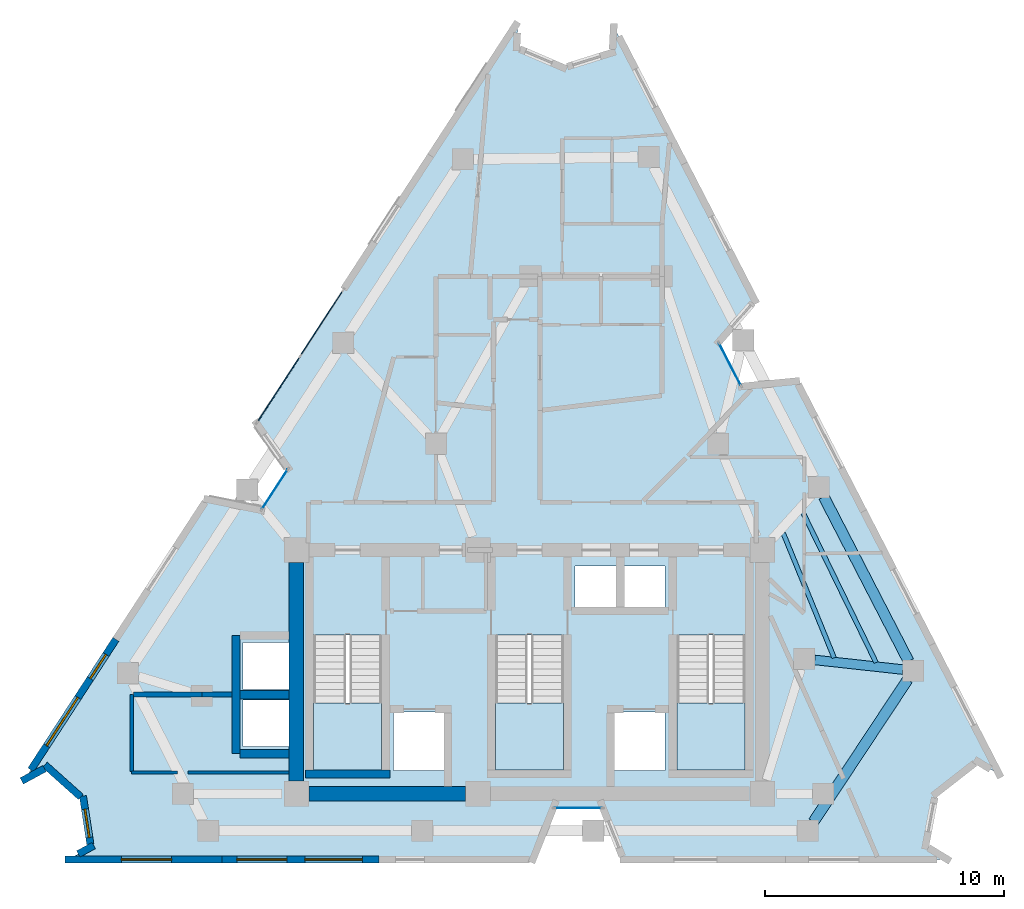
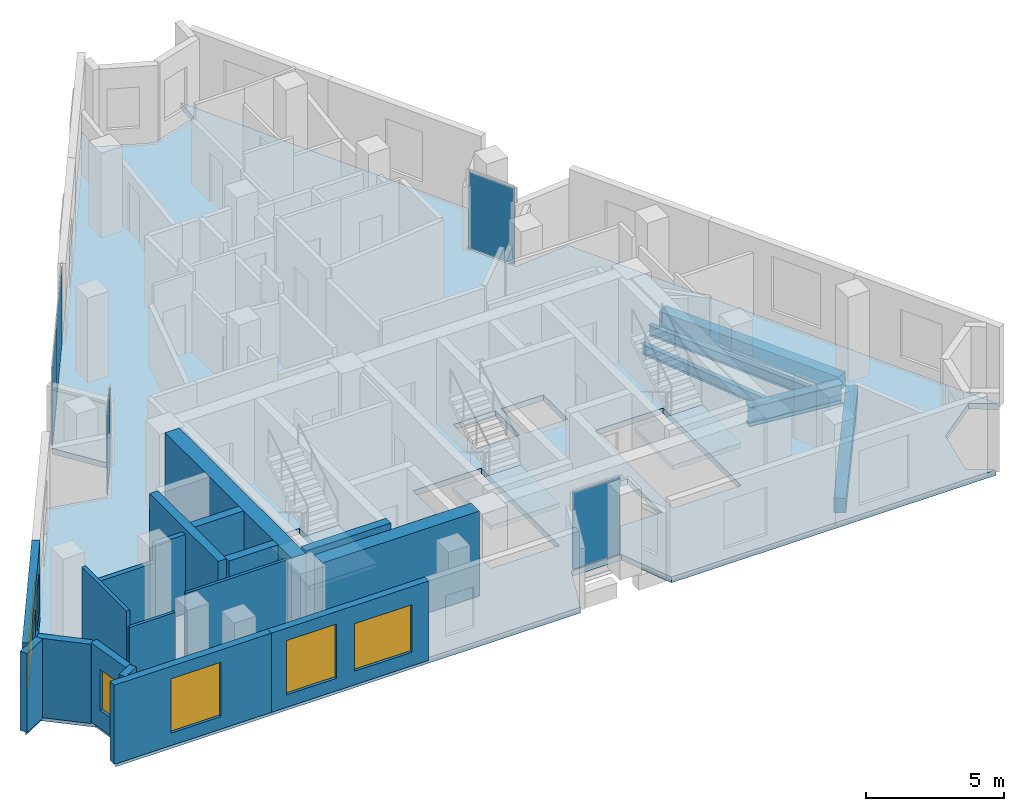
# One storey, part 4 of 9: 18 walls, 6 windows, 5 beams, 5 plates, 4 slabs, 6 openings, 7 elements without a shape of their own.
"""IFC4 building model written with IfcOpenShell, lengths in metres."""

from ifc_helpers import new_model, si_unit, direction, frame, frame_2d, origin, origin_2d, place, context, subcontext, project, spatial, polyline, rectangle, i_section, outline, extrude, material, layer, layer_set, material_profile, profile_set, type_object, element, fill, aggregate, save


model = new_model("IFC4")

# Units and contexts
model_context = context("Model", 3, precision=1e-05, world=origin(), true_north=direction((0.0, 1.0)))
body_context = subcontext(model_context, "Body", "Model", "MODEL_VIEW")
ifc_project = project(units=[si_unit("LENGTHUNIT", "METRE"), si_unit("AREAUNIT", "SQUARE_METRE"), si_unit("VOLUMEUNIT", "CUBIC_METRE"), si_unit("PLANEANGLEUNIT", "RADIAN"), si_unit("MASSUNIT", "GRAM", prefix="KILO")], contexts=[model_context])

# Site, building, storey
site_placement = place(None, origin())
site = spatial("IfcSite", under=ifc_project, at=site_placement, CompositionType="ELEMENT")
building_placement = place(site_placement, origin())
building = spatial("IfcBuilding", under=site, at=building_placement, Name="Almagre Mirador Tower", CompositionType="ELEMENT")
storey_placement = place(building_placement, frame((0.0, 0.0, 207.0)))
storey = spatial("IfcBuildingStorey", under=building, at=storey_placement, Name="L53", CompositionType="ELEMENT", Elevation=207.0)

# Beams
ifc_material_1 = material(Name="Steel ASTM A992 Grade 50", Category="steel")
ifc_material_profile_1 = material_profile(ifc_material_1, i_section(OverallWidth=0.19091796875, OverallDepth=0.4599609375, WebThickness=0.010009765625, FlangeThickness=0.01611328125, FilletRadius=0.01611328125, at=origin_2d()), Name="W18X55")
ifc_profile_set_1 = profile_set([ifc_material_profile_1], Name="Steel ASTM A992 Grade 50")
beam_type_1 = type_object("IfcBeamType", Name="BM-JST-W18X55", PredefinedType="JOIST", material=ifc_profile_set_1)
beam_1_placement = place(storey_placement, frame((51.811279296875, 10.03955078125, -0.47998046875), z_axis=(-0.438102090094, 0.898925224174, 0.0), x_axis=(-0.898925224174, -0.438102090094, 0.0)))
element("IfcBeam", 1, at=beam_1_placement, inside=storey, type_object=beam_type_1, Name="L53 secondary floor joist PC05-PC06.1", PredefinedType="JOIST", context=body_context, shape_type="SweptSolid", body=[
    extrude(i_section(OverallWidth=0.19091796875, OverallDepth=0.4599609375, WebThickness=0.010009765625, FlangeThickness=0.01611328125, FilletRadius=0.01611328125, at=origin_2d()), origin(), (0.0, 0.0, 1.0), 7.0166015625),
])
beam_2_placement = place(storey_placement, frame((50.0556640625, 10.23876953125, -0.47998046875), z_axis=(-0.377971289874, 0.92581731677, 0.0), x_axis=(-0.92581731677, -0.377971289874, 0.0)))
element("IfcBeam", 2, at=beam_2_placement, inside=storey, type_object=beam_type_1, Name="L53 secondary floor joist PC05-PC06.3", PredefinedType="JOIST", context=body_context, shape_type="SweptSolid", body=[
    extrude(i_section(OverallWidth=0.19091796875, OverallDepth=0.4599609375, WebThickness=0.010009765625, FlangeThickness=0.01611328125, FilletRadius=0.01611328125, at=origin_2d()), origin(), (0.0, 0.0, 1.0), 5.6337890625),
])
ifc_material_2 = material(Name="Precast concrete C50/60", Category="concrete")
ifc_material_profile_2 = material_profile(ifc_material_2, rectangle(XDim=0.449951171875, YDim=0.64990234375, at=origin_2d()), Name="RC450X650")
ifc_profile_set_2 = profile_set([ifc_material_profile_2], Name="Precast concrete C50/60")
beam_type_2 = type_object("IfcBeamType", Name="BM-SPN-RC450X650", PredefinedType="SPANDREL", material=ifc_profile_set_2)
beam_3_placement = place(storey_placement, frame((49.1923828125, 3.375244140625, -0.574951171875), z_axis=(0.551908560309, 0.83390463547, 0.0), x_axis=(-0.83390463547, 0.551908560309, 0.0)))
element("IfcBeam", 3, at=beam_3_placement, inside=storey, type_object=beam_type_2, Name="L53 perimeter spandrel beam PC04-PC05", PredefinedType="SPANDREL", context=body_context, shape_type="SweptSolid", body=[
    extrude(rectangle(XDim=0.449951171875, YDim=0.64990234375, at=origin_2d()), origin(), (0.0, 0.0, 1.0), 7.132080078125),
])
beam_4_placement = place(storey_placement, frame((53.1708984375, 10.097900390625, -0.574951171875), z_axis=(-0.45829341544, 0.888800959363, 0.0), x_axis=(-0.888800959363, -0.45829341544, 0.0)))
element("IfcBeam", 4, at=beam_4_placement, inside=storey, type_object=beam_type_2, Name="L53 perimeter spandrel beam PC05-PC06", PredefinedType="SPANDREL", context=body_context, shape_type="SweptSolid", body=[
    extrude(rectangle(XDim=0.449951171875, YDim=0.64990234375, at=origin_2d()), origin(), (0.0, 0.0, 1.0), 7.740966796875),
])
ifc_material_3 = material(Name="Steel ASTM A992 Grade 50", Category="steel")
ifc_material_profile_3 = material_profile(ifc_material_3, i_section(OverallWidth=0.39892578125, OverallDepth=0.85595703125, WebThickness=0.018310546875, FlangeThickness=0.029296875, FilletRadius=0.02490234375, at=origin_2d()), Name="W33X201")
ifc_profile_set_3 = profile_set([ifc_material_profile_3], Name="Steel ASTM A992 Grade 50")
beam_type_3 = type_object("IfcBeamType", Name="BM-STL-W33X201", PredefinedType="BEAM", material=ifc_profile_set_3)
beam_5_placement = place(storey_placement, frame((52.9296875, 9.7470703125, -0.677978515625), z_axis=(-0.994041045224, 0.109006423709, 0.0), x_axis=(-0.109006423709, -0.994041045224, 0.0)))
element("IfcBeam", 5, at=beam_5_placement, inside=storey, type_object=beam_type_3, Name="L53 radial floor girder PC05-MC3", PredefinedType="BEAM", context=body_context, shape_type="SweptSolid", body=[
    extrude(i_section(OverallWidth=0.39892578125, OverallDepth=0.85595703125, WebThickness=0.018310546875, FlangeThickness=0.029296875, FilletRadius=0.02490234375, at=origin_2d()), origin(), (0.0, 0.0, 1.0), 3.704345703125),
])

# Curtain wall, plate
ifc_material_4 = material(Name="Black anodized aluminium", Category="aluminium")
ifc_layer_1 = layer(ifc_material_4, 0.169921875)
ifc_layer_set_1 = layer_set([ifc_layer_1], Name="Black anodized aluminium")
curtain_wall_type_1 = type_object("IfcCurtainWallType", Name="CW-CRS-SYS", PredefinedType="NOTDEFINED", material=ifc_layer_set_1)
curtain_wall_1_placement = place(storey_placement, origin())
curtain_wall_1 = element("IfcCurtainWall", 6, at=curtain_wall_1_placement, inside=storey, type_object=curtain_wall_type_1, Name="L53 vertical crease curtain wall 01", PredefinedType="NOTDEFINED")
ifc_material_5 = material(Name="Dark solar-control laminated hurricane glass", Category="glass")
ifc_layer_2 = layer(ifc_material_5, 0.028076171875)
ifc_layer_set_2 = layer_set([ifc_layer_2], Name="Dark solar-control laminated hurricane glass")
plate_type_1 = type_object("IfcPlateType", Name="PLT-GLZ-28", PredefinedType="CURTAIN_PANEL", material=ifc_layer_set_2)
plate_1_placement = place(storey_placement, frame((26.65087890625, 17.29150390625, 0.06005859375), z_axis=(0.0, 0.0, 1.0), x_axis=(0.545610640334, 0.838038799313, 0.0)))
plate_1 = element("IfcPlate", 7, at=plate_1_placement, type_object=plate_type_1, Name="CW-4 panel 1.1", PredefinedType="CURTAIN_PANEL", context=body_context, shape_type="SweptSolid", body=[
    extrude(rectangle(XDim=1.969482421875, YDim=0.028076171875, at=origin_2d()), origin(), (0.0, 0.0, 1.0), 3.3798828125),
])
aggregate(curtain_wall_1, [plate_1])

curtain_wall_2_placement = place(storey_placement, origin())
curtain_wall_2 = element("IfcCurtainWall", 8, at=curtain_wall_2_placement, inside=storey, type_object=curtain_wall_type_1, Name="L53 vertical crease curtain wall 03", PredefinedType="NOTDEFINED")
plate_2_placement = place(storey_placement, frame((45.697998046875, 22.51806640625, 0.06005859375), z_axis=(0.0, 0.0, 1.0), x_axis=(0.458277323858, -0.888809256499, 0.0)))
plate_2 = element("IfcPlate", 9, at=plate_2_placement, type_object=plate_type_1, Name="CW-4 panel 1.1", PredefinedType="CURTAIN_PANEL", context=body_context, shape_type="SweptSolid", body=[
    extrude(rectangle(XDim=1.970458984375, YDim=0.028076171875, at=origin_2d()), origin(), (0.0, 0.0, 1.0), 3.3798828125),
])
aggregate(curtain_wall_2, [plate_2])

curtain_wall_3_placement = place(storey_placement, origin())
curtain_wall_3 = element("IfcCurtainWall", 10, at=curtain_wall_3_placement, inside=storey, type_object=curtain_wall_type_1, Name="L53 vertical crease curtain wall 04", PredefinedType="NOTDEFINED")
plate_3_placement = place(storey_placement, frame((39.343994140625, 3.949951171875, 0.06005859375), z_axis=(0.0, 0.0, 1.0), x_axis=(-1.0, 0.0, 0.0)))
plate_3 = element("IfcPlate", 11, at=plate_3_placement, type_object=plate_type_1, Name="CW-4 panel 1.1", PredefinedType="CURTAIN_PANEL", context=body_context, shape_type="SweptSolid", body=[
    extrude(rectangle(XDim=1.969970703125, YDim=0.028076171875, at=origin_2d()), origin(), (0.0, 0.0, 1.0), 3.3798828125),
])
aggregate(curtain_wall_3, [plate_3])

# Curtain wall, plates
ifc_material_6 = material(Name="Black anodized aluminium", Category="aluminium")
ifc_layer_3 = layer(ifc_material_6, 0.199951171875)
ifc_layer_set_3 = layer_set([ifc_layer_3], Name="Black anodized aluminium")
curtain_wall_type_2 = type_object("IfcCurtainWallType", Name="CW-RES-H-SYS", PredefinedType="NOTDEFINED", material=ifc_layer_set_3)
curtain_wall_4_placement = place(storey_placement, origin())
curtain_wall_4 = element("IfcCurtainWall", 12, at=curtain_wall_4_placement, inside=storey, type_object=curtain_wall_type_2, Name="L53 curtain wall run 02", PredefinedType="NOTDEFINED")
ifc_material_7 = material(Name="Dark solar-control laminated hurricane glass", Category="glass")
ifc_layer_4 = layer(ifc_material_7, 0.035888671875)
ifc_layer_set_4 = layer_set([ifc_layer_4], Name="Dark solar-control laminated hurricane glass")
plate_type_2 = type_object("IfcPlateType", Name="PLT-GLZ-36", PredefinedType="CURTAIN_PANEL", material=ifc_layer_set_4)
plate_4_placement = place(storey_placement, frame((26.805908203125, 21.469970703125, 0.06494140625), z_axis=(0.0, 0.0, 1.0), x_axis=(0.545614483846, 0.838036296957, 0.0)))
plate_4 = element("IfcPlate", 13, at=plate_4_placement, type_object=plate_type_2, Name="CW-3 panel 1.1", PredefinedType="CURTAIN_PANEL", context=body_context, shape_type="SweptSolid", body=[
    extrude(rectangle(XDim=3.241943359375, YDim=0.035888671875, at=origin_2d()), origin(), (0.0, 0.0, 1.0), 3.3701171875),
])
plate_5_placement = place(storey_placement, frame((28.610107421875, 24.2412109375, 0.06494140625), z_axis=(0.0, 0.0, 1.0), x_axis=(0.545614483846, 0.838036296957, 0.0)))
plate_5 = element("IfcPlate", 14, at=plate_5_placement, type_object=plate_type_2, Name="CW-3 panel 2.1", PredefinedType="CURTAIN_PANEL", context=body_context, shape_type="SweptSolid", body=[
    extrude(rectangle(XDim=3.241943359375, YDim=0.035888671875, at=origin_2d()), origin(), (0.0, 0.0, 1.0), 3.3701171875),
])
aggregate(curtain_wall_4, [plate_4, plate_5])

# Slab
ifc_material_8 = material(Name="Concrete C45/55", Category="concrete")
ifc_layer_5 = layer(ifc_material_8, 0.25)
ifc_layer_set_5 = layer_set([ifc_layer_5], Name="Concrete C45/55")
slab_type_1 = type_object("IfcSlabType", Name="SLB-FLR-250", PredefinedType="FLOOR", material=ifc_layer_set_5)
slab_1_placement = place(storey_placement, frame((0.0, 0.0, -0.25)))
element("IfcSlab", 15, at=slab_1_placement, inside=storey, type_object=slab_type_1, Name="L53 structural floor slab", PredefinedType="FLOOR", context=body_context, shape_type="SweptSolid", body=[
    extrude(outline(polyline([(16.181884765625, 5.152099609375), (17.132080078125, 5.6669921875), (18.64208984375, 4.31689453125), (18.948974609375, 2.31494140625), (18.0, 1.800048828125), (37.444091796875, 1.800048828125), (38.299072265625, 3.949951171875), (40.388916015625, 3.949951171875), (41.243896484375, 1.800048828125), (54.800048828125, 1.800048828125), (53.8779296875, 2.362060546875), (54.291015625, 4.548095703125), (56.044921875, 5.9169921875), (56.967041015625, 5.35498046875), (48.47998046875, 21.81396484375), (46.177001953125, 21.589111328125), (45.218994140625, 23.447021484375), (46.739013671875, 25.19189453125), (40.8330078125, 36.64501953125), (40.779052734375, 35.56591796875), (38.73291015625, 34.927001953125), (36.762939453125, 35.76904296875), (36.818115234375, 36.847900390625), (25.885986328125, 20.056884765625), (27.220947265625, 18.1669921875), (26.0810546875, 16.416015625), (23.81298828125, 16.8720703125), (16.181884765625, 5.152099609375)]), holes=[polyline([(43.47509765625, 5.550048828125), (43.47509765625, 11.196044921875), (46.324951171875, 11.196044921875), (46.324951171875, 5.550048828125), (43.47509765625, 5.550048828125)]), polyline([(41.219970703125, 12.320068359375), (41.219970703125, 14.080078125), (42.97998046875, 14.080078125), (42.97998046875, 12.320068359375), (41.219970703125, 12.320068359375)]), polyline([(42.97998046875, 5.52001953125), (40.820068359375, 5.52001953125), (40.820068359375, 7.97998046875), (42.97998046875, 7.97998046875), (42.97998046875, 5.52001953125)]), polyline([(39.219970703125, 12.320068359375), (39.219970703125, 14.080078125), (40.97998046875, 14.080078125), (40.97998046875, 12.320068359375), (39.219970703125, 12.320068359375)]), polyline([(35.875, 5.550048828125), (35.875, 11.196044921875), (38.72509765625, 11.196044921875), (38.72509765625, 5.550048828125), (35.875, 5.550048828125)]), polyline([(33.780029296875, 5.52001953125), (31.6201171875, 5.52001953125), (31.6201171875, 7.97998046875), (33.780029296875, 7.97998046875), (33.780029296875, 5.52001953125)]), polyline([(28.27490234375, 5.550048828125), (28.27490234375, 11.196044921875), (31.125, 11.196044921875), (31.125, 5.550048828125), (28.27490234375, 5.550048828125)]), polyline([(27.3798828125, 6.52001953125), (25.320068359375, 6.52001953125), (25.320068359375, 8.47998046875), (27.3798828125, 8.47998046875), (27.3798828125, 6.52001953125)]), polyline([(27.3798828125, 8.919921875), (25.320068359375, 8.919921875), (25.320068359375, 10.8798828125), (27.3798828125, 10.8798828125), (27.3798828125, 8.919921875)])]), origin(), (0.0, 0.0, 1.0), 0.25),
])

# Stair, slab
ifc_material_9 = material(Name="Concrete C45/55", Category="concrete")
stair_type = type_object("IfcStairType", Name="STR-DL-3750", PredefinedType="HALF_TURN_STAIR", material=ifc_material_9)
stair_1_placement = place(storey_placement, origin())
stair_1 = element("IfcStair", 16, at=stair_1_placement, inside=storey, type_object=stair_type, Name="L53 Protected exit stair ST-1", PredefinedType="HALF_TURN_STAIR")
ifc_material_10 = material(Name="Concrete C45/55", Category="concrete")
ifc_layer_6 = layer(ifc_material_10, 0.199951171875)
ifc_layer_set_6 = layer_set([ifc_layer_6], Name="Concrete C45/55")
slab_type_2 = type_object("IfcSlabType", Name="SLB-LND-200", PredefinedType="LANDING", material=ifc_layer_set_6)
slab_2_placement = place(storey_placement, frame((0.0, 0.0, 1.675048828125)))
slab_2 = element("IfcSlab", 17, at=slab_2_placement, type_object=slab_type_2, Name="ST-1 landing 1", PredefinedType="LANDING", context=body_context, shape_type="SweptSolid", body=[
    extrude(outline(polyline([(28.27490234375, 8.35009765625), (28.27490234375, 5.550048828125), (31.125, 5.550048828125), (31.125, 8.35009765625), (28.27490234375, 8.35009765625)])), origin(), (0.0, 0.0, 1.0), 0.199951171875),
])
aggregate(stair_1, [slab_2])

stair_2_placement = place(storey_placement, origin())
stair_2 = element("IfcStair", 18, at=stair_2_placement, inside=storey, type_object=stair_type, Name="L53 Protected exit stair ST-2", PredefinedType="HALF_TURN_STAIR")
slab_3_placement = place(storey_placement, frame((0.0, 0.0, 1.675048828125)))
slab_3 = element("IfcSlab", 19, at=slab_3_placement, type_object=slab_type_2, Name="ST-2 landing 1", PredefinedType="LANDING", context=body_context, shape_type="SweptSolid", body=[
    extrude(outline(polyline([(35.875, 8.35009765625), (35.875, 5.550048828125), (38.72509765625, 5.550048828125), (38.72509765625, 8.35009765625), (35.875, 8.35009765625)])), origin(), (0.0, 0.0, 1.0), 0.199951171875),
])
aggregate(stair_2, [slab_3])

stair_3_placement = place(storey_placement, origin())
stair_3 = element("IfcStair", 20, at=stair_3_placement, inside=storey, type_object=stair_type, Name="L53 Protected exit stair ST-3", PredefinedType="HALF_TURN_STAIR")
slab_4_placement = place(storey_placement, frame((0.0, 0.0, 1.675048828125)))
slab_4 = element("IfcSlab", 21, at=slab_4_placement, type_object=slab_type_2, Name="ST-3 landing 1", PredefinedType="LANDING", context=body_context, shape_type="SweptSolid", body=[
    extrude(outline(polyline([(43.47509765625, 8.35009765625), (43.47509765625, 5.550048828125), (46.324951171875, 5.550048828125), (46.324951171875, 8.35009765625), (43.47509765625, 8.35009765625)])), origin(), (0.0, 0.0, 1.0), 0.199951171875),
])
aggregate(stair_3, [slab_4])

# Wall, openings, windows
ifc_material_11 = material(Name="Precast concrete C50/60", Category="concrete")
ifc_layer_7 = layer(ifc_material_11, 0.300048828125)
ifc_layer_set_7 = layer_set([ifc_layer_7], Name="Precast concrete C50/60")
wall_type_1 = type_object("IfcWallType", Name="WAL-EXT-300", PredefinedType="SOLIDWALL", material=ifc_layer_set_7)
wall_1_placement = place(storey_placement, frame((31.00927734375, 1.800048828125, 0.0), z_axis=(0.0, 0.0, 1.0), x_axis=(-1.0, 0.0, 0.0)))
wall_1 = element("IfcWall", 22, at=wall_1_placement, inside=storey, type_object=wall_type_1, Name="L53 expressed almagre precast frame wall 25", PredefinedType="SOLIDWALL", context=body_context, shape_type="SweptSolid", body=[
    extrude(rectangle(XDim=6.574462890625, YDim=0.300048828125, at=frame_2d((3.287109375, 0.0))), origin(), (0.0, 0.0, 1.0), 3.5),
])
opening_1_placement = place(wall_1_placement, frame((3.85009765625, 0.0, 0.550048828125)))
opening_1 = element("IfcOpeningElement", 23, at=opening_1_placement, cuts=wall_1, Name="Opening WN-05", PredefinedType="OPENING", context=body_context, shape_type="SweptSolid", body=[
    extrude(rectangle(XDim=2.10009765625, YDim=2.39990234375, at=frame_2d((1.050048828125, 1.199951171875))), frame((0.0, 0.159902, 0.0), z_axis=(0.0, -1.0, 0.0), x_axis=(1.0, 0.0, 0.0)), (0.0, 0.0, 1.0), 0.320049),
])
opening_2_placement = place(wall_1_placement, frame((0.699951171875, 0.0, 0.60009765625)))
opening_2 = element("IfcOpeningElement", 24, at=opening_2_placement, cuts=wall_1, Name="Opening WN-02", PredefinedType="OPENING", context=body_context, shape_type="SweptSolid", body=[
    extrude(rectangle(XDim=2.39990234375, YDim=2.10009765625, at=frame_2d((1.199951171875, 1.050048828125))), frame((0.0, 0.159902, 0.0), z_axis=(0.0, -1.0, 0.0), x_axis=(1.0, 0.0, 0.0)), (0.0, 0.0, 1.0), 0.320049),
])
ifc_material_12 = material(Name="Dark solar-control laminated hurricane glass", Category="glass")
window_type_1 = type_object("IfcWindowType", Name="WIN-2100X2400", PartitioningType="DOUBLE_PANEL_VERTICAL", PredefinedType="WINDOW", material=ifc_material_12)
window_1_placement = place(opening_1_placement, origin())
window_1 = element("IfcWindow", 25, at=window_1_placement, inside=storey, type_object=window_type_1, Name="L53 recessed hurricane window L53-UA-LV", OverallHeight=2.39990234375, OverallWidth=2.10009765625, PartitioningType="SINGLE_PANEL", PredefinedType="WINDOW", context=body_context, shape_type="SweptSolid", body=[
    extrude(rectangle(XDim=2.10009765625, YDim=2.39990234375, at=frame_2d((1.050048828125, 1.199951171875))), frame((0.0, 0.030029296875, 0.0), z_axis=(0.0, -1.0, 0.0), x_axis=(1.0, 0.0, 0.0)), (0.0, 0.0, 1.0), 0.06005859375),
])
fill(opening_1, window_1)
ifc_material_13 = material(Name="Dark solar-control laminated hurricane glass", Category="glass")
window_type_2 = type_object("IfcWindowType", Name="WIN-2400X2100", PartitioningType="TRIPLE_PANEL_VERTICAL", PredefinedType="WINDOW", material=ifc_material_13)
window_2_placement = place(opening_2_placement, origin())
window_2 = element("IfcWindow", 26, at=window_2_placement, inside=storey, type_object=window_type_2, Name="L53 recessed hurricane window L53-UA-MB", OverallHeight=2.10009765625, OverallWidth=2.39990234375, PartitioningType="SINGLE_PANEL", PredefinedType="WINDOW", context=body_context, shape_type="SweptSolid", body=[
    extrude(rectangle(XDim=2.39990234375, YDim=2.10009765625, at=frame_2d((1.199951171875, 1.050048828125))), frame((0.0, 0.030029296875, 0.0), z_axis=(0.0, -1.0, 0.0), x_axis=(1.0, 0.0, 0.0)), (0.0, 0.0, 1.0), 0.06005859375),
])
fill(opening_2, window_2)

# Wall, opening, window
wall_2_placement = place(storey_placement, frame((24.434814453125, 1.800048828125, 0.0), z_axis=(0.0, 0.0, 1.0), x_axis=(-1.0, 0.0, 0.0)))
wall_2 = element("IfcWall", 27, at=wall_2_placement, inside=storey, type_object=wall_type_1, Name="L53 expressed almagre precast frame wall 26", PredefinedType="SOLIDWALL", context=body_context, shape_type="SweptSolid", body=[
    extrude(rectangle(XDim=6.57470703125, YDim=0.300048828125, at=frame_2d((3.287353515625, 0.0))), origin(), (0.0, 0.0, 1.0), 3.5),
])
opening_3_placement = place(wall_2_placement, frame((2.10009765625, 0.0, 0.550048828125)))
opening_3 = element("IfcOpeningElement", 28, at=opening_3_placement, cuts=wall_2, Name="Opening WN-05", PredefinedType="OPENING", context=body_context, shape_type="SweptSolid", body=[
    extrude(rectangle(XDim=2.10009765625, YDim=2.39990234375, at=frame_2d((1.050048828125, 1.199951171875))), frame((0.0, 0.159902, 0.0), z_axis=(0.0, -1.0, 0.0), x_axis=(1.0, 0.0, 0.0)), (0.0, 0.0, 1.0), 0.320049),
])
window_3_placement = place(opening_3_placement, origin())
window_3 = element("IfcWindow", 29, at=window_3_placement, inside=storey, type_object=window_type_1, Name="L53 recessed hurricane window L53-UA-LV", OverallHeight=2.39990234375, OverallWidth=2.10009765625, PartitioningType="SINGLE_PANEL", PredefinedType="WINDOW", context=body_context, shape_type="SweptSolid", body=[
    extrude(rectangle(XDim=2.10009765625, YDim=2.39990234375, at=frame_2d((1.050048828125, 1.199951171875))), frame((0.0, 0.030029296875, 0.0), z_axis=(0.0, -1.0, 0.0), x_axis=(1.0, 0.0, 0.0)), (0.0, 0.0, 1.0), 0.06005859375),
])
fill(opening_3, window_3)

# Wall
wall_3_placement = place(storey_placement, frame((18.42626953125, 2.03125, 0.0), z_axis=(0.0, 0.0, 1.0), x_axis=(0.878833528688, 0.47712852446, 0.0)))
element("IfcWall", 30, at=wall_3_placement, inside=storey, type_object=wall_type_1, Name="L53 expressed almagre precast frame wall 27", PredefinedType="SOLIDWALL", context=body_context, shape_type="SweptSolid", body=[
    extrude(rectangle(XDim=0.73486328125, YDim=0.300048828125, at=frame_2d((0.367431640625, 0.0))), origin(), (0.0, 0.0, 1.0), 3.5),
])

# Wall, opening, window
wall_4_placement = place(storey_placement, frame((18.928466796875, 2.448486328125, 0.0), z_axis=(0.0, 0.0, 1.0), x_axis=(-0.151514993769, 0.98845495935, 0.0)))
wall_4 = element("IfcWall", 31, at=wall_4_placement, inside=storey, type_object=wall_type_1, Name="L53 expressed almagre precast frame wall 28", PredefinedType="SOLIDWALL", context=body_context, shape_type="SweptSolid", body=[
    extrude(rectangle(XDim=2.0302734375, YDim=0.300048828125, at=frame_2d((1.01513671875, 0.0))), origin(), (0.0, 0.0, 1.0), 3.5),
])
opening_4_placement = place(wall_4_placement, frame((0.27490234375, 0.0, 0.800048828125)))
opening_4 = element("IfcOpeningElement", 32, at=opening_4_placement, cuts=wall_4, Name="Opening WN-04", PredefinedType="OPENING", context=body_context, shape_type="SweptSolid", body=[
    extrude(rectangle(XDim=1.199951171875, YDim=1.800048828125, at=frame_2d((0.60009765625, 0.89990234375))), frame((0.0, 0.159902, 0.0), z_axis=(0.0, -1.0, 0.0), x_axis=(1.0, 0.0, 0.0)), (0.0, 0.0, 1.0), 0.320049),
])
ifc_material_14 = material(Name="Dark solar-control laminated hurricane glass", Category="glass")
window_type_3 = type_object("IfcWindowType", Name="WIN-1200X1800", PartitioningType="SINGLE_PANEL", PredefinedType="WINDOW", material=ifc_material_14)
window_4_placement = place(opening_4_placement, origin())
window_4 = element("IfcWindow", 33, at=window_4_placement, inside=storey, type_object=window_type_3, Name="L53 recessed hurricane window L53-UA-LV", OverallHeight=1.800048828125, OverallWidth=1.199951171875, PartitioningType="SINGLE_PANEL", PredefinedType="WINDOW", context=body_context, shape_type="SweptSolid", body=[
    extrude(rectangle(XDim=1.199951171875, YDim=1.800048828125, at=frame_2d((0.60009765625, 0.89990234375))), frame((0.0, 0.030029296875, 0.0), z_axis=(0.0, -1.0, 0.0), x_axis=(1.0, 0.0, 0.0)), (0.0, 0.0, 1.0), 0.06005859375),
])
fill(opening_4, window_4)

# Walls
wall_5_placement = place(storey_placement, frame((18.5302734375, 4.4169921875, 0.0), z_axis=(0.0, 0.0, 1.0), x_axis=(-0.745548529149, 0.666451341572, 0.0)))
element("IfcWall", 34, at=wall_5_placement, inside=storey, type_object=wall_type_1, Name="L53 expressed almagre precast frame wall 29", PredefinedType="SOLIDWALL", context=body_context, shape_type="SweptSolid", body=[
    extrude(rectangle(XDim=2.015625, YDim=0.300048828125, at=frame_2d((1.0078125, 0.0))), origin(), (0.0, 0.0, 1.0), 3.5),
])
wall_6_placement = place(storey_placement, frame((17.01318359375, 5.602783203125, 0.0), z_axis=(0.0, 0.0, 1.0), x_axis=(-0.879044634191, -0.476739479275, 0.0)))
element("IfcWall", 35, at=wall_6_placement, inside=storey, type_object=wall_type_1, Name="L53 expressed almagre precast frame wall 30", PredefinedType="SOLIDWALL", context=body_context, shape_type="SweptSolid", body=[
    extrude(rectangle(XDim=1.085693359375, YDim=0.300048828125, at=frame_2d((0.54296875, 0.0))), origin(), (0.0, 0.0, 1.0), 3.5),
])

# Wall, openings, windows
wall_7_placement = place(storey_placement, frame((16.441162109375, 5.550048828125, 0.0), z_axis=(0.0, 0.0, 1.0), x_axis=(0.545651760549, 0.838012026292, 0.0)))
wall_7 = element("IfcWall", 36, at=wall_7_placement, inside=storey, type_object=wall_type_1, Name="L53 expressed almagre precast frame wall 31", PredefinedType="SOLIDWALL", context=body_context, shape_type="SweptSolid", body=[
    extrude(rectangle(XDim=6.517822265625, YDim=0.300048828125, at=frame_2d((3.2587890625, 0.0))), origin(), (0.0, 0.0, 1.0), 3.5),
])
opening_5_placement = place(wall_7_placement, frame((1.2099609375, 0.0, 0.60009765625)))
opening_5 = element("IfcOpeningElement", 37, at=opening_5_placement, cuts=wall_7, Name="Opening WN-02", PredefinedType="OPENING", context=body_context, shape_type="SweptSolid", body=[
    extrude(rectangle(XDim=2.39990234375, YDim=2.10009765625, at=frame_2d((1.199951171875, 1.050048828125))), frame((0.0, 0.159902, 0.0), z_axis=(0.0, -1.0, 0.0), x_axis=(1.0, 0.0, 0.0)), (0.0, 0.0, 1.0), 0.320049),
])
opening_6_placement = place(wall_7_placement, frame((4.56005859375, 0.0, 0.800048828125)))
opening_6 = element("IfcOpeningElement", 38, at=opening_6_placement, cuts=wall_7, Name="Opening WN-04", PredefinedType="OPENING", context=body_context, shape_type="SweptSolid", body=[
    extrude(rectangle(XDim=1.199951171875, YDim=1.800048828125, at=frame_2d((0.60009765625, 0.89990234375))), frame((0.0, 0.159902, 0.0), z_axis=(0.0, -1.0, 0.0), x_axis=(1.0, 0.0, 0.0)), (0.0, 0.0, 1.0), 0.320049),
])
window_5_placement = place(opening_6_placement, origin())
window_5 = element("IfcWindow", 39, at=window_5_placement, inside=storey, type_object=window_type_3, Name="L53 recessed hurricane window L53-UD-ST", OverallHeight=1.800048828125, OverallWidth=1.199951171875, PartitioningType="SINGLE_PANEL", PredefinedType="WINDOW", context=body_context, shape_type="SweptSolid", body=[
    extrude(rectangle(XDim=1.199951171875, YDim=1.800048828125, at=frame_2d((0.60009765625, 0.89990234375))), frame((0.0, 0.030029296875, 0.0), z_axis=(0.0, -1.0, 0.0), x_axis=(1.0, 0.0, 0.0)), (0.0, 0.0, 1.0), 0.06005859375),
])
fill(opening_6, window_5)
window_6_placement = place(opening_5_placement, origin())
window_6 = element("IfcWindow", 40, at=window_6_placement, inside=storey, type_object=window_type_2, Name="L53 recessed hurricane window L53-UA-HB", OverallHeight=2.10009765625, OverallWidth=2.39990234375, PartitioningType="SINGLE_PANEL", PredefinedType="WINDOW", context=body_context, shape_type="SweptSolid", body=[
    extrude(rectangle(XDim=2.39990234375, YDim=2.10009765625, at=frame_2d((1.199951171875, 1.050048828125))), frame((0.0, 0.030029296875, 0.0), z_axis=(0.0, -1.0, 0.0), x_axis=(1.0, 0.0, 0.0)), (0.0, 0.0, 1.0), 0.06005859375),
])
fill(opening_5, window_6)

# Walls
ifc_material_15 = material(Name="Gypsum acoustic stud partition", Category="other")
ifc_layer_8 = layer(ifc_material_15, 0.125)
ifc_layer_set_8 = layer_set([ifc_layer_8], Name="Gypsum acoustic stud partition")
wall_type_2 = type_object("IfcWallType", Name="WAL-PRT-125-UTL", PredefinedType="PARTITIONING", material=ifc_layer_set_8)
wall_8_placement = place(storey_placement, frame((22.580078125, 5.429931640625, 0.0), z_axis=(0.0, 0.0, 1.0), x_axis=(-1.0, 0.0, 0.0)))
element("IfcWall", 41, at=wall_8_placement, inside=storey, type_object=wall_type_2, Name="L53 interior partition 016", PredefinedType="PARTITIONING", context=body_context, shape_type="SweptSolid", body=[
    extrude(rectangle(XDim=1.920166015625, YDim=0.125, at=frame_2d((0.9599609375, 0.0))), origin(), (0.0, 0.0, 1.0), 2.820068359375),
])
wall_9_placement = place(storey_placement, frame((27.25, 5.429931640625, 0.0), z_axis=(0.0, 0.0, 1.0), x_axis=(-1.0, 0.0, 0.0)))
element("IfcWall", 42, at=wall_9_placement, inside=storey, type_object=wall_type_2, Name="L53 interior partition 017", PredefinedType="PARTITIONING", context=body_context, shape_type="SweptSolid", body=[
    extrude(rectangle(XDim=4.22998046875, YDim=0.125, at=frame_2d((2.114990234375, 0.0))), origin(), (0.0, 0.0, 1.0), 3.5),
])
ifc_material_16 = material(Name="Gypsum acoustic stud partition", Category="other")
ifc_layer_9 = layer(ifc_material_16, 0.14990234375)
ifc_layer_set_9 = layer_set([ifc_layer_9], Name="Gypsum acoustic stud partition")
wall_type_3 = type_object("IfcWallType", Name="WAL-PRT-150-STD", PredefinedType="PARTITIONING", material=ifc_layer_set_9)
wall_10_placement = place(storey_placement, frame((20.659912109375, 5.4775390625, 0.0), z_axis=(0.0, 0.0, 1.0), x_axis=(0.0, 1.0, 0.0)))
element("IfcWall", 43, at=wall_10_placement, inside=storey, type_object=wall_type_3, Name="L53 interior partition 019", PredefinedType="PARTITIONING", context=body_context, shape_type="SweptSolid", body=[
    extrude(rectangle(XDim=3.222412109375, YDim=0.14990234375, at=frame_2d((1.611328125, 0.0))), origin(), (0.0, 0.0, 1.0), 3.5),
])
ifc_material_17 = material(Name="Gypsum acoustic stud partition", Category="other")
ifc_layer_10 = layer(ifc_material_17, 0.199951171875)
ifc_layer_set_10 = layer_set([ifc_layer_10], Name="Gypsum acoustic stud partition")
wall_type_4 = type_object("IfcWallType", Name="WAL-PRT-200-EI60", PredefinedType="PARTITIONING", material=ifc_layer_set_10)
wall_11_placement = place(storey_placement, frame((23.60009765625, 8.699951171875, 0.0), z_axis=(0.0, 0.0, 1.0), x_axis=(-1.0, 0.0, 0.0)))
element("IfcWall", 44, at=wall_11_placement, inside=storey, type_object=wall_type_4, Name="L53 interior partition 022", PredefinedType="PARTITIONING", context=body_context, shape_type="SweptSolid", body=[
    extrude(rectangle(XDim=2.8701171875, YDim=0.199951171875, at=frame_2d((1.43505859375, 0.0))), origin(), (0.0, 0.0, 1.0), 2.68505859375),
])
wall_12_placement = place(storey_placement, frame((24.864990234375, 8.699951171875, 0.0), z_axis=(0.0, 0.0, 1.0), x_axis=(-1.0, 0.0, 0.0)))
element("IfcWall", 45, at=wall_12_placement, inside=storey, type_object=wall_type_4, Name="L53 interior partition 023", PredefinedType="PARTITIONING", context=body_context, shape_type="SweptSolid", body=[
    extrude(rectangle(XDim=1.264892578125, YDim=0.199951171875, at=frame_2d((0.63232421875, 0.0))), origin(), (0.0, 0.0, 1.0), 3.5),
])
ifc_material_18 = material(Name="Concrete C60/75", Category="concrete")
ifc_layer_11 = layer(ifc_material_18, 0.35009765625)
ifc_layer_set_11 = layer_set([ifc_layer_11], Name="Concrete C60/75")
wall_type_5 = type_object("IfcWallType", Name="WAL-SHF-350", PredefinedType="SOLIDWALL", material=ifc_layer_set_11)
wall_13_placement = place(storey_placement, frame((27.925048828125, 5.375, 0.0), z_axis=(0.0, 0.0, 1.0), x_axis=(1.0, 0.0, 0.0)))
element("IfcWall", 46, at=wall_13_placement, inside=storey, type_object=wall_type_5, Name="L53 shaft wall ST1-S", PredefinedType="SOLIDWALL", context=body_context, shape_type="SweptSolid", body=[
    extrude(rectangle(XDim=3.550048828125, YDim=0.35009765625, at=frame_2d((1.77490234375, 0.0))), origin(), (0.0, 0.0, 1.0), 3.75),
])
wall_14_placement = place(storey_placement, frame((25.02490234375, 6.22509765625, 0.0), z_axis=(0.0, 0.0, 1.0), x_axis=(0.0, 1.0, 0.0)))
element("IfcWall", 47, at=wall_14_placement, inside=storey, type_object=wall_type_5, Name="L53 shaft wall OL-W", PredefinedType="SOLIDWALL", context=body_context, shape_type="SweptSolid", body=[
    extrude(rectangle(XDim=4.949951171875, YDim=0.35009765625, at=frame_2d((2.47509765625, 0.0))), origin(), (0.0, 0.0, 1.0), 3.75),
])
for number, where, z_axis, x_axis, name in (
    (48, (25.199951171875, 6.22509765625, 0.0), (0.0, 0.0, 1.0), (1.0, 0.0, 0.0), "L53 shaft wall OL-S"),
    (49, (25.199951171875, 8.699951171875, 0.0), (0.0, 0.0, 1.0), (1.0, 0.0, 0.0), "L53 shaft wall OL-M"),
):
    element("IfcWall", number, at=place(storey_placement, frame(where, z_axis=z_axis, x_axis=x_axis)), inside=storey, type_object=wall_type_5, Name=name, PredefinedType="SOLIDWALL", context=body_context, shape_type="SweptSolid", body=[
        extrude(rectangle(XDim=2.050048828125, YDim=0.35009765625, at=frame_2d((1.02490234375, 0.0))), origin(), (0.0, 0.0, 1.0), 3.75),
    ])
ifc_material_19 = material(Name="Concrete C60/75", Category="concrete")
ifc_layer_12 = layer(ifc_material_19, 0.60009765625)
ifc_layer_set_12 = layer_set([ifc_layer_12], Name="Concrete C60/75")
wall_type_6 = type_object("IfcWallType", Name="WAL-SHR-600", PredefinedType="SHEAR", material=ifc_layer_set_12)
wall_15_placement = place(storey_placement, frame((28.074951171875, 4.550048828125, 0.0), z_axis=(0.0, 0.0, 1.0), x_axis=(1.0, 0.0, 0.0)))
element("IfcWall", 50, at=wall_15_placement, inside=storey, type_object=wall_type_6, Name="L53 core shear wall S1", PredefinedType="SHEAR", context=body_context, shape_type="SweptSolid", body=[
    extrude(rectangle(XDim=6.550048828125, YDim=0.60009765625, at=frame_2d((3.27490234375, 0.0))), origin(), (0.0, 0.0, 1.0), 3.75),
])
wall_16_placement = place(storey_placement, frame((27.550048828125, 5.074951171875, 0.0), z_axis=(0.0, 0.0, 1.0), x_axis=(0.0, 1.0, 0.0)))
element("IfcWall", 51, at=wall_16_placement, inside=storey, type_object=wall_type_6, Name="L53 core shear wall W1", PredefinedType="SHEAR", context=body_context, shape_type="SweptSolid", body=[
    extrude(rectangle(XDim=9.150146484375, YDim=0.60009765625, at=frame_2d((4.5751953125, 0.0))), origin(), (0.0, 0.0, 1.0), 3.75),
])

save(model, "model.ifc")
